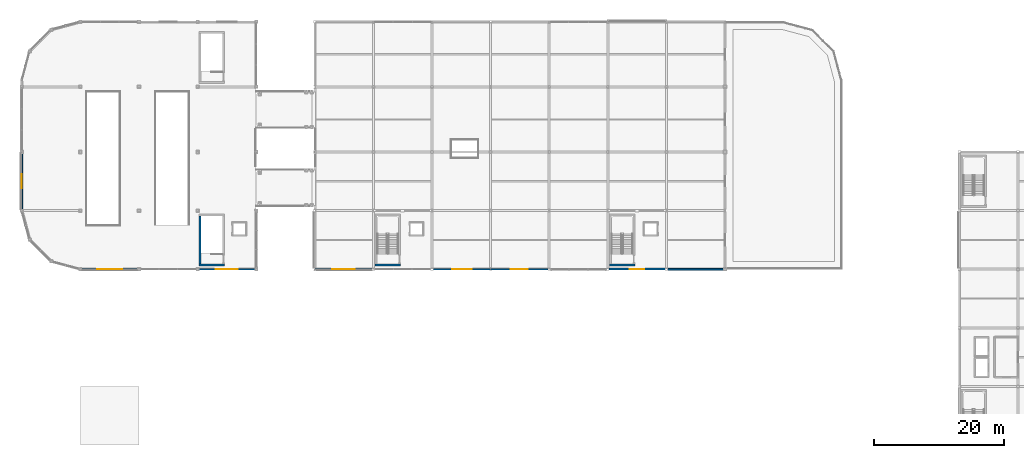
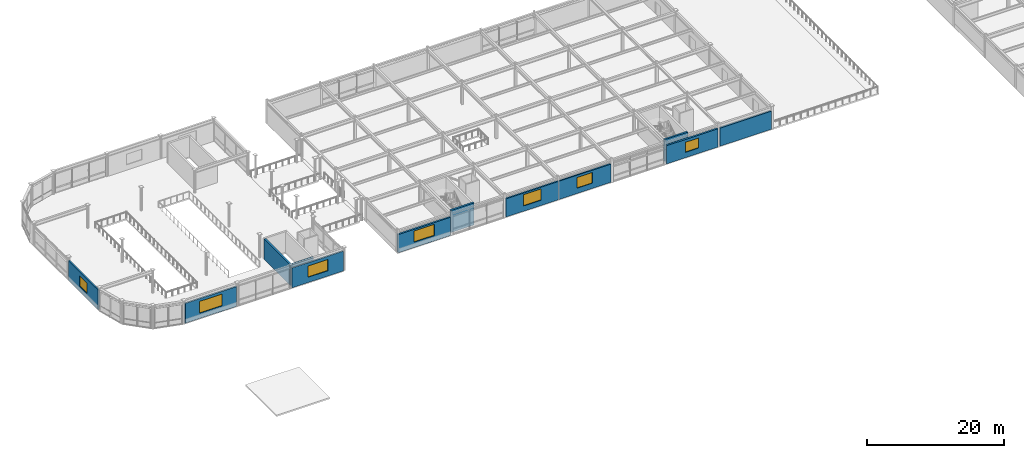
# One storey, part 37 of 53: 12 walls, 7 windows, 7 openings.
"""IFC4 building model written with IfcOpenShell, lengths in metres."""

from ifc_helpers import new_model, si_unit, direction, frame, frame_2d, origin, place, context, subcontext, project, spatial, rectangle, extrude, material, layer, layer_set, type_object, element, fill, save


model = new_model("IFC4")

# Units and contexts
model_context = context("Model", 3, precision=1e-05, world=origin(), true_north=direction((0.0, 1.0)))
body_context = subcontext(model_context, "Body", "Model", "MODEL_VIEW")
ifc_project = project(units=[si_unit("LENGTHUNIT", "METRE"), si_unit("AREAUNIT", "SQUARE_METRE"), si_unit("VOLUMEUNIT", "CUBIC_METRE"), si_unit("PLANEANGLEUNIT", "RADIAN"), si_unit("MASSUNIT", "GRAM", prefix="KILO")], contexts=[model_context])

# Site, building, storey
site_placement = place(None, origin())
site = spatial("IfcSite", under=ifc_project, at=site_placement, CompositionType="ELEMENT")
building_placement = place(site_placement, origin())
building = spatial("IfcBuilding", under=site, at=building_placement, Name="Suzunagisa Mobility Hub", CompositionType="ELEMENT")
storey_placement = place(building_placement, frame((0.0, 0.0, 17.699951171875)))
storey = spatial("IfcBuildingStorey", under=building, at=storey_placement, Name="L04", CompositionType="ELEMENT", Elevation=17.699951171875)

# Wall, opening, window
ifc_material_1 = material(Name="Porcelain-Faced Insulated Concrete C30/37 Wall", Category="concrete")
ifc_layer_1 = layer(ifc_material_1, 0.260009765625)
ifc_layer_set_1 = layer_set([ifc_layer_1], Name="Porcelain-Faced Insulated Concrete C30/37 Wall")
wall_type_1 = type_object("IfcWallType", Name="Exterior Wall EW-03 260mm", PredefinedType="SOLIDWALL", material=ifc_layer_set_1)
wall_1_placement = place(storey_placement, frame((9.177734375, 80.0, 0.0), z_axis=(0.0, 0.0, 1.0), x_axis=(1.0, 0.0, 0.0)))
wall_1 = element("IfcWall", 1, at=wall_1_placement, inside=storey, type_object=wall_type_1, Name="L04 Exterior Facade Wall EW-130", PredefinedType="SOLIDWALL", context=body_context, shape_type="SweptSolid", body=[
    extrude(rectangle(XDim=8.64453125, YDim=0.260009765625, at=frame_2d((4.322265625, 0.0))), origin(), (0.0, 0.0, 1.0), 3.526123046875),
])
opening_1_placement = place(wall_1_placement, frame((2.422119140625, 0.0, 0.949951171875)))
opening_1 = element("IfcOpeningElement", 2, at=opening_1_placement, cuts=wall_1, Name="Opening WN-18", PredefinedType="OPENING", context=body_context, shape_type="SweptSolid", body=[
    extrude(rectangle(XDim=3.800048828125, YDim=2.10009765625, at=frame_2d((1.89990234375, 1.050048828125))), frame((0.0, 0.14111328125, 0.0), z_axis=(0.0, -1.0, 0.0), x_axis=(1.0, 0.0, 0.0)), (0.0, 0.0, 1.0), 0.281982421875),
])
ifc_material_2 = material(Name="Thermally Broken Anodized Aluminum and Low-E Double Glazing", Category="aluminium")
window_type_1 = type_object("IfcWindowType", Name="Aluminum Window WN-18 3800x2100", PartitioningType="SINGLE_PANEL", PredefinedType="WINDOW", material=ifc_material_2)
window_1_placement = place(opening_1_placement, origin())
window_1 = element("IfcWindow", 3, at=window_1_placement, inside=storey, type_object=window_type_1, Name="L04 Scheduled Facade Window WN-34", OverallHeight=2.10009765625, OverallWidth=3.800048828125, PartitioningType="SINGLE_PANEL", PredefinedType="WINDOW", context=body_context, shape_type="SweptSolid", body=[
    extrude(rectangle(XDim=3.800048828125, YDim=2.10009765625, at=frame_2d((1.89990234375, 1.050048828125))), frame((0.0, 0.030029296875, 0.0), z_axis=(0.0, -1.0, 0.0), x_axis=(1.0, 0.0, 0.0)), (0.0, 0.0, 1.0), 0.06005859375),
])
fill(opening_1, window_1)

wall_2_placement = place(storey_placement, frame((63.175048828125, 80.0, 0.0), z_axis=(0.0, 0.0, 1.0), x_axis=(1.0, 0.0, 0.0)))
wall_2 = element("IfcWall", 4, at=wall_2_placement, inside=storey, type_object=wall_type_1, Name="L04 Exterior Facade Wall EW-226", PredefinedType="SOLIDWALL", context=body_context, shape_type="SweptSolid", body=[
    extrude(rectangle(XDim=8.820556640625, YDim=0.260009765625, at=frame_2d((4.41015625, 0.0))), origin(), (0.0, 0.0, 1.0), 3.25),
])
opening_2_placement = place(wall_2_placement, frame((2.910400390625, 0.0, 0.949951171875)))
opening_2 = element("IfcOpeningElement", 5, at=opening_2_placement, cuts=wall_2, Name="Opening WN-03", PredefinedType="OPENING", context=body_context, shape_type="SweptSolid", body=[
    extrude(rectangle(XDim=3.0, YDim=2.0, at=frame_2d((1.5, 1.0))), frame((0.0, 0.14111328125, 0.0), z_axis=(0.0, -1.0, 0.0), x_axis=(1.0, 0.0, 0.0)), (0.0, 0.0, 1.0), 0.281982421875),
])
window_type_2 = type_object("IfcWindowType", Name="Aluminum Window WN-03 3000x2000", PartitioningType="SINGLE_PANEL", PredefinedType="WINDOW", material=ifc_material_2)
window_2_placement = place(opening_2_placement, origin())
window_2 = element("IfcWindow", 6, at=window_2_placement, inside=storey, type_object=window_type_2, Name="L04 Scheduled Facade Window WN-84", OverallHeight=2.0, OverallWidth=3.0, PartitioningType="SINGLE_PANEL", PredefinedType="WINDOW", context=body_context, shape_type="SweptSolid", body=[
    extrude(rectangle(XDim=3.0, YDim=2.0, at=frame_2d((1.5, 1.0))), frame((0.0, 0.030029296875, 0.0), z_axis=(0.0, -1.0, 0.0), x_axis=(1.0, 0.0, 0.0)), (0.0, 0.0, 1.0), 0.06005859375),
])
fill(opening_2, window_2)

ifc_material_3 = material(Name="Lightweight Insulated Autoclaved Concrete C30/37 Wall", Category="concrete")
ifc_layer_2 = layer(ifc_material_3, 0.239990234375)
ifc_layer_set_2 = layer_set([ifc_layer_2], Name="Lightweight Insulated Autoclaved Concrete C30/37 Wall")
wall_type_2 = type_object("IfcWallType", Name="Exterior Wall EW-04 240mm", PredefinedType="SOLIDWALL", material=ifc_layer_set_2)
wall_3_placement = place(storey_placement, frame((27.177734375, 80.0, 0.0), z_axis=(0.0, 0.0, 1.0), x_axis=(1.0, 0.0, 0.0)))
wall_3 = element("IfcWall", 7, at=wall_3_placement, inside=storey, type_object=wall_type_2, Name="L04 Exterior Facade Wall EW-131", PredefinedType="SOLIDWALL", context=body_context, shape_type="SweptSolid", body=[
    extrude(rectangle(XDim=8.64453125, YDim=0.239990234375, at=frame_2d((4.322265625, 0.0))), origin(), (0.0, 0.0, 1.0), 3.526123046875),
])
opening_3_placement = place(wall_3_placement, frame((2.622314453125, 0.0, 0.949951171875)))
opening_3 = element("IfcOpeningElement", 8, at=opening_3_placement, cuts=wall_3, Name="Opening WN-06", PredefinedType="OPENING", context=body_context, shape_type="SweptSolid", body=[
    extrude(rectangle(XDim=3.39990234375, YDim=2.0, at=frame_2d((1.699951171875, 1.0))), frame((0.0, 0.130859375, 0.0), z_axis=(0.0, -1.0, 0.0), x_axis=(1.0, 0.0, 0.0)), (0.0, 0.0, 1.0), 0.261962890625),
])
window_type_3 = type_object("IfcWindowType", Name="Aluminum Window WN-06 3400x2000", PartitioningType="SINGLE_PANEL", PredefinedType="WINDOW", material=ifc_material_2)
window_3_placement = place(opening_3_placement, origin())
window_3 = element("IfcWindow", 9, at=window_3_placement, inside=storey, type_object=window_type_3, Name="L04 Scheduled Facade Window WN-35", OverallHeight=2.0, OverallWidth=3.39990234375, PartitioningType="SINGLE_PANEL", PredefinedType="WINDOW", context=body_context, shape_type="SweptSolid", body=[
    extrude(rectangle(XDim=3.39990234375, YDim=2.0, at=frame_2d((1.699951171875, 1.0))), frame((0.0, 0.030029296875, 0.0), z_axis=(0.0, -1.0, 0.0), x_axis=(1.0, 0.0, 0.0)), (0.0, 0.0, 1.0), 0.06005859375),
])
fill(opening_3, window_3)

wall_4_placement = place(storey_placement, frame((0.0, 97.822265625, 0.0), z_axis=(0.0, 0.0, 1.0), x_axis=(0.0, -1.0, 0.0)))
wall_4 = element("IfcWall", 10, at=wall_4_placement, inside=storey, type_object=wall_type_2, Name="L04 Exterior Facade Wall EW-135", PredefinedType="SOLIDWALL", context=body_context, shape_type="SweptSolid", body=[
    extrude(rectangle(XDim=8.64453125, YDim=0.239990234375, at=frame_2d((4.322265625, 0.0))), origin(), (0.0, 0.0, 1.0), 3.526123046875),
])
opening_4_placement = place(wall_4_placement, frame((3.22216796875, 0.0, 0.949951171875)))
opening_4 = element("IfcOpeningElement", 11, at=opening_4_placement, cuts=wall_4, Name="Opening WN-08", PredefinedType="OPENING", context=body_context, shape_type="SweptSolid", body=[
    extrude(rectangle(XDim=2.199951171875, YDim=1.800048828125, at=frame_2d((1.10009765625, 0.89990234375))), frame((0.0, 0.130859375, 0.0), z_axis=(0.0, -1.0, 0.0), x_axis=(1.0, 0.0, 0.0)), (0.0, 0.0, 1.0), 0.261962890625),
])
window_type_4 = type_object("IfcWindowType", Name="Aluminum Window WN-08 2200x1800", PartitioningType="SINGLE_PANEL", PredefinedType="WINDOW", material=ifc_material_2)
window_4_placement = place(opening_4_placement, origin())
window_4 = element("IfcWindow", 12, at=window_4_placement, inside=storey, type_object=window_type_4, Name="L04 Scheduled Facade Window WN-38", OverallHeight=1.800048828125, OverallWidth=2.199951171875, PartitioningType="SINGLE_PANEL", PredefinedType="WINDOW", context=body_context, shape_type="SweptSolid", body=[
    extrude(rectangle(XDim=2.199951171875, YDim=1.800048828125, at=frame_2d((1.10009765625, 0.89990234375))), frame((0.0, 0.030029296875, 0.0), z_axis=(0.0, -1.0, 0.0), x_axis=(1.0, 0.0, 0.0)), (0.0, 0.0, 1.0), 0.06005859375),
])
fill(opening_4, window_4)

wall_5_placement = place(storey_placement, frame((72.00439453125, 80.0, 0.0), z_axis=(0.0, 0.0, 1.0), x_axis=(1.0, 0.0, 0.0)))
wall_5 = element("IfcWall", 13, at=wall_5_placement, inside=storey, type_object=wall_type_2, Name="L04 Exterior Facade Wall EW-227", PredefinedType="SOLIDWALL", context=body_context, shape_type="SweptSolid", body=[
    extrude(rectangle(XDim=8.820556640625, YDim=0.239990234375, at=frame_2d((4.41015625, 0.0))), origin(), (0.0, 0.0, 1.0), 3.25),
])
opening_5_placement = place(wall_5_placement, frame((3.1103515625, 0.0, 0.949951171875)))
opening_5 = element("IfcOpeningElement", 14, at=opening_5_placement, cuts=wall_5, Name="Opening WN-24", PredefinedType="OPENING", context=body_context, shape_type="SweptSolid", body=[
    extrude(rectangle(XDim=2.60009765625, YDim=1.89990234375, at=frame_2d((1.300048828125, 0.949951171875))), frame((0.0, 0.130859375, 0.0), z_axis=(0.0, -1.0, 0.0), x_axis=(1.0, 0.0, 0.0)), (0.0, 0.0, 1.0), 0.261962890625),
])
window_type_5 = type_object("IfcWindowType", Name="Aluminum Window WN-24 2600x1900", PartitioningType="SINGLE_PANEL", PredefinedType="WINDOW", material=ifc_material_2)
window_5_placement = place(opening_5_placement, origin())
window_5 = element("IfcWindow", 15, at=window_5_placement, inside=storey, type_object=window_type_5, Name="L04 Scheduled Facade Window WN-85", OverallHeight=1.89990234375, OverallWidth=2.60009765625, PartitioningType="SINGLE_PANEL", PredefinedType="WINDOW", context=body_context, shape_type="SweptSolid", body=[
    extrude(rectangle(XDim=2.60009765625, YDim=1.89990234375, at=frame_2d((1.300048828125, 0.949951171875))), frame((0.0, 0.030029296875, 0.0), z_axis=(0.0, -1.0, 0.0), x_axis=(1.0, 0.0, 0.0)), (0.0, 0.0, 1.0), 0.06005859375),
])
fill(opening_5, window_5)

ifc_layer_3 = layer(ifc_material_1, 0.280029296875)
ifc_layer_set_3 = layer_set([ifc_layer_3], Name="Porcelain-Faced Insulated Concrete C30/37 Wall")
wall_type_3 = type_object("IfcWallType", Name="Exterior Wall EW-08 280mm", PredefinedType="SOLIDWALL", material=ifc_layer_set_3)
wall_6_placement = place(storey_placement, frame((45.00439453125, 80.0, 0.0), z_axis=(0.0, 0.0, 1.0), x_axis=(1.0, 0.0, 0.0)))
wall_6 = element("IfcWall", 16, at=wall_6_placement, inside=storey, type_object=wall_type_3, Name="L04 Exterior Facade Wall EW-225", PredefinedType="SOLIDWALL", context=body_context, shape_type="SweptSolid", body=[
    extrude(rectangle(XDim=8.820556640625, YDim=0.280029296875, at=frame_2d((4.41015625, 0.0))), origin(), (0.0, 0.0, 1.0), 3.25),
])
opening_6_placement = place(wall_6_placement, frame((2.710205078125, 0.0, 0.949951171875)))
opening_6 = element("IfcOpeningElement", 17, at=opening_6_placement, cuts=wall_6, Name="Opening WN-06", PredefinedType="OPENING", context=body_context, shape_type="SweptSolid", body=[
    extrude(rectangle(XDim=3.39990234375, YDim=2.0, at=frame_2d((1.699951171875, 1.0))), frame((0.0, 0.15087890625, 0.0), z_axis=(0.0, -1.0, 0.0), x_axis=(1.0, 0.0, 0.0)), (0.0, 0.0, 1.0), 0.302001953125),
])
window_6_placement = place(opening_6_placement, origin())
window_6 = element("IfcWindow", 18, at=window_6_placement, inside=storey, type_object=window_type_3, Name="L04 Scheduled Facade Window WN-83", OverallHeight=2.0, OverallWidth=3.39990234375, PartitioningType="SINGLE_PANEL", PredefinedType="WINDOW", context=body_context, shape_type="SweptSolid", body=[
    extrude(rectangle(XDim=3.39990234375, YDim=2.0, at=frame_2d((1.699951171875, 1.0))), frame((0.0, 0.030029296875, 0.0), z_axis=(0.0, -1.0, 0.0), x_axis=(1.0, 0.0, 0.0)), (0.0, 0.0, 1.0), 0.06005859375),
])
fill(opening_6, window_6)

# Wall
wall_7_placement = place(storey_placement, frame((99.175048828125, 80.0, 0.0), z_axis=(0.0, 0.0, 1.0), x_axis=(1.0, 0.0, 0.0)))
element("IfcWall", 19, at=wall_7_placement, inside=storey, type_object=wall_type_3, Name="L04 Exterior Facade Wall EW-229", PredefinedType="SOLIDWALL", context=body_context, shape_type="SweptSolid", body=[
    extrude(rectangle(XDim=8.64990234375, YDim=0.280029296875, at=frame_2d((4.324951171875, 0.0))), origin(), (0.0, 0.0, 1.0), 3.219970703125),
])

# Wall, opening, window
ifc_material_4 = material(Name="Insulated Precast Concrete C35/45 Panel", Category="concrete")
ifc_layer_4 = layer(ifc_material_4, 0.300048828125)
ifc_layer_set_4 = layer_set([ifc_layer_4], Name="Insulated Precast Concrete C35/45 Panel")
wall_type_4 = type_object("IfcWallType", Name="Exterior Wall EW-09 300mm", PredefinedType="SOLIDWALL", material=ifc_layer_set_4)
wall_8_placement = place(storey_placement, frame((90.175048828125, 80.0, 0.0), z_axis=(0.0, 0.0, 1.0), x_axis=(1.0, 0.0, 0.0)))
wall_8 = element("IfcWall", 20, at=wall_8_placement, inside=storey, type_object=wall_type_4, Name="L04 Exterior Facade Wall EW-228", PredefinedType="SOLIDWALL", context=body_context, shape_type="SweptSolid", body=[
    extrude(rectangle(XDim=8.64990234375, YDim=0.300048828125, at=frame_2d((4.324951171875, 0.0))), origin(), (0.0, 0.0, 1.0), 3.25),
])
opening_7_placement = place(wall_8_placement, frame((3.22509765625, 0.0, 0.949951171875)))
opening_7 = element("IfcOpeningElement", 21, at=opening_7_placement, cuts=wall_8, Name="Opening WN-08", PredefinedType="OPENING", context=body_context, shape_type="SweptSolid", body=[
    extrude(rectangle(XDim=2.199951171875, YDim=1.800048828125, at=frame_2d((1.10009765625, 0.89990234375))), frame((0.0, 0.1611328125, 0.0), z_axis=(0.0, -1.0, 0.0), x_axis=(1.0, 0.0, 0.0)), (0.0, 0.0, 1.0), 0.322021484375),
])
window_7_placement = place(opening_7_placement, origin())
window_7 = element("IfcWindow", 22, at=window_7_placement, inside=storey, type_object=window_type_4, Name="L04 Scheduled Facade Window WN-86", OverallHeight=1.800048828125, OverallWidth=2.199951171875, PartitioningType="SINGLE_PANEL", PredefinedType="WINDOW", context=body_context, shape_type="SweptSolid", body=[
    extrude(rectangle(XDim=2.199951171875, YDim=1.800048828125, at=frame_2d((1.10009765625, 0.89990234375))), frame((0.0, 0.030029296875, 0.0), z_axis=(0.0, -1.0, 0.0), x_axis=(1.0, 0.0, 0.0)), (0.0, 0.0, 1.0), 0.06005859375),
])
fill(opening_7, window_7)

# Walls
ifc_material_5 = material(Name="Concrete C35/45", Category="concrete")
ifc_layer_5 = layer(ifc_material_5, 0.31005859375)
ifc_layer_set_5 = layer_set([ifc_layer_5], Name="Concrete C35/45")
wall_type_5 = type_object("IfcWallType", Name="Interior Wall IW-01 310mm", PredefinedType="SHEAR", material=ifc_layer_set_5)
wall_9_placement = place(storey_placement, frame((27.25, 80.64501953125, 0.0), z_axis=(0.0, 0.0, 1.0), x_axis=(1.0, 0.0, 0.0)))
element("IfcWall", 23, at=wall_9_placement, inside=storey, type_object=wall_type_5, Name="L04 Core C6 Shear Wall SW-149", PredefinedType="SHEAR", context=body_context, shape_type="SweptSolid", body=[
    extrude(rectangle(XDim=3.89990234375, YDim=0.31005859375, at=frame_2d((1.949951171875, 0.0))), origin(), (0.0, 0.0, 1.0), 3.650146484375),
])
wall_10_placement = place(storey_placement, frame((27.405029296875, 80.800048828125, 0.0), z_axis=(0.0, 0.0, 1.0), x_axis=(0.0, 1.0, 0.0)))
element("IfcWall", 24, at=wall_10_placement, inside=storey, type_object=wall_type_5, Name="L04 Core C6 Shear Wall SW-151", PredefinedType="SHEAR", context=body_context, shape_type="SweptSolid", body=[
    extrude(rectangle(XDim=7.39990234375, YDim=0.31005859375, at=frame_2d((3.699951171875, 0.0))), origin(), (0.0, 0.0, 1.0), 3.650146484375),
])
for number, where, z_axis, x_axis, name in (
    (25, (54.25, 80.64501953125, 0.0), (0.0, 0.0, 1.0), (1.0, 0.0, 0.0), "L04 Core C3 Shear Wall SW-221"),
    (26, (90.25, 80.64501953125, 0.0), (0.0, 0.0, 1.0), (1.0, 0.0, 0.0), "L04 Core C4 Shear Wall SW-285"),
):
    element("IfcWall", number, at=place(storey_placement, frame(where, z_axis=z_axis, x_axis=x_axis)), inside=storey, type_object=wall_type_5, Name=name, PredefinedType="SHEAR", context=body_context, shape_type="SweptSolid", body=[
        extrude(rectangle(XDim=3.89990234375, YDim=0.31005859375, at=frame_2d((1.949951171875, 0.0))), origin(), (0.0, 0.0, 1.0), 3.920166015625),
    ])

save(model, "model.ifc")
